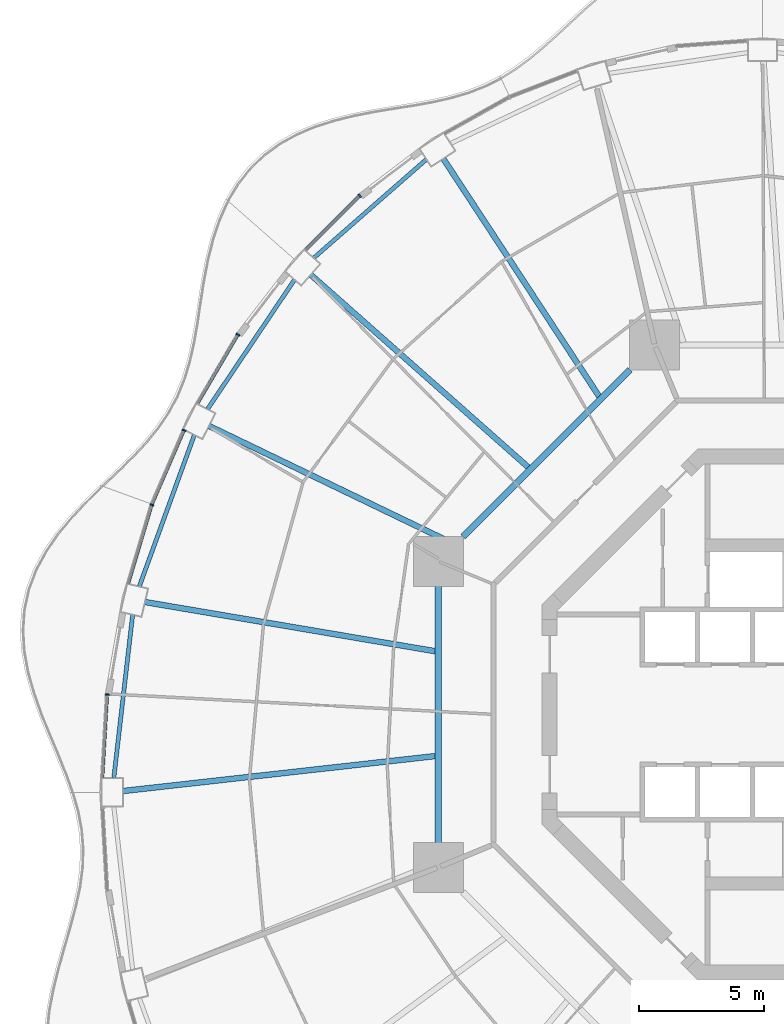
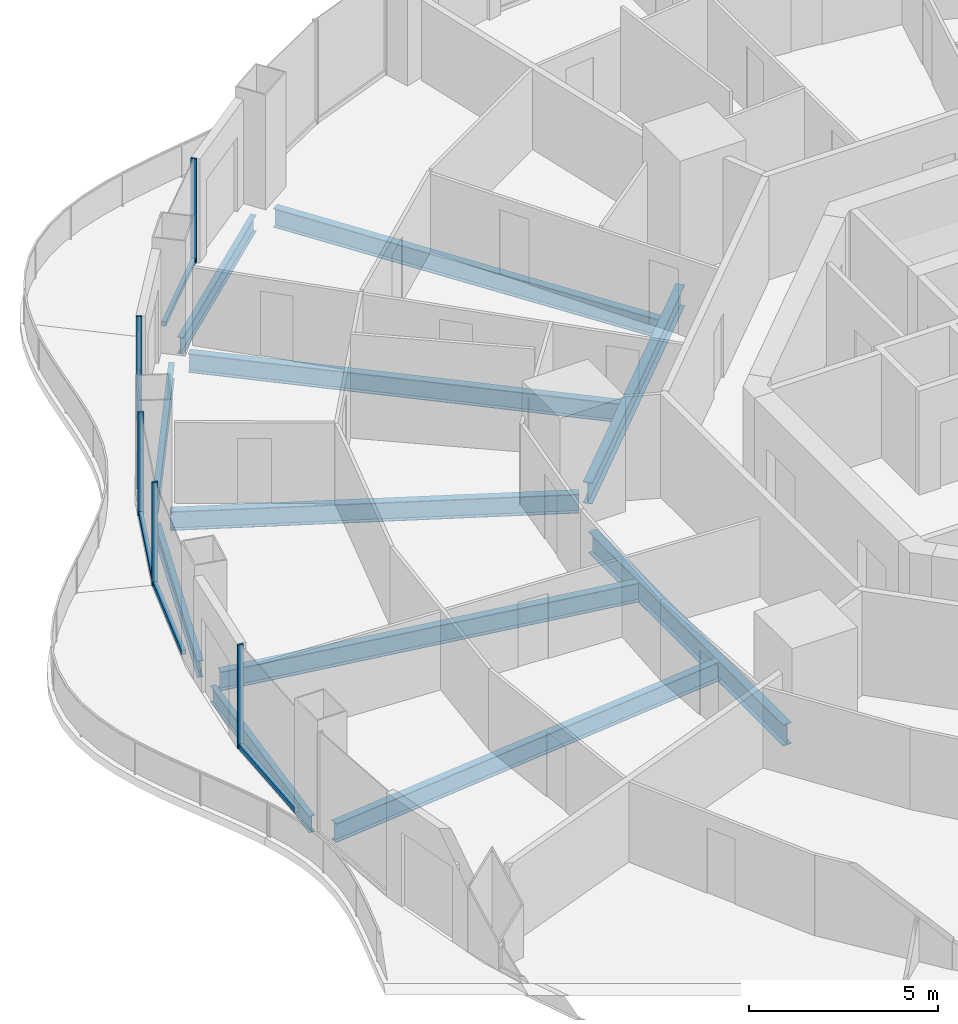
# One storey, part 7 of 21: 11 beams, 10 members, 5 elements without a shape of their own.
"""IFC4 building model written with IfcOpenShell, lengths in metres."""

import ifcopenshell
import ifcopenshell.guid

model = None  # the IFC model being written
_history = None  # IfcOwnerHistory: only IFC2X3 demands one
_inside = {}  # id of a spatial element -> (the spatial element, [elements in it])
_under = {}  # id of a project, library or spatial element -> (it, [spatial elements below it])
_declared = {}  # id of a project -> (the project, [libraries it declares])
_typed = {}  # id of a type object -> (the type object, [elements of that type])
_made_of = {}  # id of a material, layer set ... -> (it, [elements and type objects made of it])


def new_model(schema):
    """Start an empty IFC model of exactly this schema.

    Asked for "IFC4X3", IfcOpenShell would pick the latest addendum, in which some entities
    have other attributes; the version numbers below select the first issue.
    IFC2X3 requires an IfcOwnerHistory on every rooted entity: one is made here for all.
    """
    global model, _history
    if schema == "IFC4X3":
        model = ifcopenshell.file(schema_version=(4, 3, 0, 0))
    else:
        model = ifcopenshell.file(schema=schema)
    _inside.clear()
    _under.clear()
    _declared.clear()
    _typed.clear()
    _made_of.clear()
    _history = None
    if model.schema == "IFC2X3":
        org = make("IfcOrganization", Name="unknown")
        user = make(
            "IfcPersonAndOrganization",
            ThePerson=make("IfcPerson", FamilyName="unknown"),
            TheOrganization=org,
        )
        app = make(
            "IfcApplication",
            ApplicationDeveloper=org,
            Version="unknown",
            ApplicationFullName="unknown",
            ApplicationIdentifier="unknown",
        )
        _history = make(
            "IfcOwnerHistory",
            OwningUser=user,
            OwningApplication=app,
            ChangeAction="ADDED",
            CreationDate=0,
        )
    return model


def make(cls, **values):
    """One entity of the class cls with the attributes given. An attribute that is None is left unset."""
    return model.create_entity(
        cls, **{name: value for name, value in values.items() if value is not None}
    )


def rooted(cls, **values):
    """An entity with a GlobalId (a new one), such as an element, a storey or a relation."""
    return make(cls, GlobalId=ifcopenshell.guid.new(), OwnerHistory=_history, **values)


def si_unit(unit_type, name, prefix=None):
    """IfcSIUnit, for example si_unit("LENGTHUNIT", "METRE", prefix="MILLI")."""
    return make("IfcSIUnit", UnitType=unit_type, Prefix=prefix, Name=name)


def assignment(units):
    """IfcUnitAssignment: the units of a project."""
    return None if units is None else make("IfcUnitAssignment", Units=units)


def point(xyz):
    """IfcCartesianPoint."""
    return None if xyz is None else make("IfcCartesianPoint", Coordinates=xyz)


def direction(xyz):
    """IfcDirection."""
    return None if xyz is None else make("IfcDirection", DirectionRatios=xyz)


def frame(location, z_axis=None, x_axis=None):
    """IfcAxis2Placement3D, a coordinate frame: its origin and axes. An axis left out is left unset."""
    return make(
        "IfcAxis2Placement3D",
        Location=point(location),
        Axis=direction(z_axis),
        RefDirection=direction(x_axis),
    )


def frame_2d(location, x_axis=None):
    """IfcAxis2Placement2D, a coordinate frame in the plane: its origin and x axis."""
    return make(
        "IfcAxis2Placement2D", Location=point(location), RefDirection=direction(x_axis)
    )


def origin():
    """The frame at (0, 0, 0) with its axes left unset."""
    return frame((0.0, 0.0, 0.0))


def origin_2d():
    """The frame at (0, 0) in the plane with its x axis left unset."""
    return frame_2d((0.0, 0.0))


def place(relative_to, where):
    """IfcLocalPlacement: puts the frame where relative to a parent placement (None: the world)."""
    return make(
        "IfcLocalPlacement", PlacementRelTo=relative_to, RelativePlacement=where
    )


def context(
    kind, dimensions, precision=None, world=None, true_north=None, identifier=None
):
    """IfcGeometricRepresentationContext, for example the 3D "Model" context."""
    return make(
        "IfcGeometricRepresentationContext",
        ContextIdentifier=identifier,
        ContextType=kind,
        CoordinateSpaceDimension=dimensions,
        Precision=precision,
        WorldCoordinateSystem=world,
        TrueNorth=true_north,
    )


def subcontext(parent, identifier, kind, view, scale=None):
    """IfcGeometricRepresentationSubContext, for example "Body" below "Model"."""
    return make(
        "IfcGeometricRepresentationSubContext",
        ContextIdentifier=identifier,
        ContextType=kind,
        ParentContext=parent,
        TargetScale=scale,
        TargetView=view,
    )


def project(units=None, contexts=None):
    """IfcProject with its units and contexts."""
    return rooted(
        "IfcProject",
        Name="project",
        RepresentationContexts=contexts,
        UnitsInContext=assignment(units),
    )


def spatial(cls, under=None, at=None, **own):
    """A site, building, storey or space (cls), placed at a placement, below another one or the project."""
    s = rooted(cls, ObjectPlacement=at, **own)
    if under is not None:
        _under.setdefault(under.id(), (under, []))[1].append(s)
    return s


def profile(cls, at=None, kind="AREA", **sizes):
    """A parametric profile (cls). Its sizes go by their IFC names, for example OverallWidth=200.0."""
    return make(cls, ProfileType=kind, Position=at, **sizes)


def rectangle(**sizes):
    """IfcRectangleProfileDef."""
    return profile("IfcRectangleProfileDef", **sizes)


def i_section(**sizes):
    """IfcIShapeProfileDef."""
    return profile("IfcIShapeProfileDef", **sizes)


def extrude(swept, where, along, depth):
    """IfcExtrudedAreaSolid: the profile swept, set in the frame where, extruded along a direction by depth."""
    return make(
        "IfcExtrudedAreaSolid",
        SweptArea=swept,
        Position=where,
        ExtrudedDirection=direction(along),
        Depth=depth,
    )


def shape(context_of_items, identifier, shape_type, items):
    """IfcShapeRepresentation: the items that make up one representation, for example the "Body"."""
    return make(
        "IfcShapeRepresentation",
        ContextOfItems=context_of_items,
        RepresentationIdentifier=identifier,
        RepresentationType=shape_type,
        Items=items,
    )


def material(Name=None, Category=None):
    """IfcMaterial."""
    return make("IfcMaterial", Name=Name, Category=Category)


def layer(
    of_material, thickness, ventilated=None, Name=None, Category=None, Priority=None
):
    """IfcMaterialLayer: one layer of a wall or slab, of a material (None: an air gap)."""
    return make(
        "IfcMaterialLayer",
        Material=of_material,
        LayerThickness=thickness,
        IsVentilated=ventilated,
        Name=Name,
        Category=Category,
        Priority=Priority,
    )


def layer_set(layers, Name=None):
    """IfcMaterialLayerSet."""
    return make("IfcMaterialLayerSet", MaterialLayers=layers, LayerSetName=Name)


def material_profile(
    of_material, cross_section, Name=None, Category=None, Priority=None
):
    """IfcMaterialProfile: a cross section and its material."""
    return make(
        "IfcMaterialProfile",
        Name=Name,
        Material=of_material,
        Profile=cross_section,
        Priority=Priority,
        Category=Category,
    )


def profile_set(profiles, Name=None, composite=None):
    """IfcMaterialProfileSet."""
    return make(
        "IfcMaterialProfileSet",
        Name=Name,
        MaterialProfiles=profiles,
        CompositeProfile=composite,
    )


def made_of(thing, what):
    """Note that an element or type object is made of a material, layer set ...; save() writes the relation."""
    if what is not None:
        _made_of.setdefault(what.id(), (what, []))[1].append(thing)
    return thing


def type_object(cls, material=None, **own):
    """A type object (cls), such as IfcWallType, which elements share."""
    return made_of(rooted(cls, **own), material)


def element(
    cls,
    number,
    at=None,
    inside=None,
    cuts=None,
    type_object=None,
    material=None,
    context=None,
    identifier="Body",
    shape_type=None,
    held_by="IfcProductDefinitionShape",
    body=None,
    shapes=None,
    **own,
):
    """One element of the class cls, such as IfcWall. Its Tag is "e" and its number.

    at: its placement. inside: the storey or other place that contains it. cuts: it is an
    opening in that element (IfcRelVoidsElement). A single representation is given by context,
    identifier, shape_type and body (its items); several are given by shapes. held_by: the class
    of the entity that holds the representations. save() writes the other relations.
    """
    e = rooted(cls, Tag="e%d" % number, ObjectPlacement=at, **own)
    if body is not None:
        shapes = [shape(context, identifier, shape_type, body)]
    if shapes is not None:
        e.Representation = make(held_by, Representations=shapes)
    if inside is not None:
        _inside.setdefault(inside.id(), (inside, []))[1].append(e)
    if cuts is not None:
        rooted(
            "IfcRelVoidsElement", RelatingBuildingElement=cuts, RelatedOpeningElement=e
        )
    if type_object is not None:
        _typed.setdefault(type_object.id(), (type_object, []))[1].append(e)
    return made_of(e, material)


def aggregate(whole, parts):
    """IfcRelAggregates: a whole, such as a stair, and the parts it consists of."""
    return rooted("IfcRelAggregates", RelatingObject=whole, RelatedObjects=parts)


def save(model, path):
    """Write the relations noted so far, then the file.

    IfcRelAggregates (storeys below a building ...), IfcRelContainedInSpatialStructure (elements
    in a storey), IfcRelDefinesByType, IfcRelAssociatesMaterial and IfcRelDeclares: one each for
    every whole, place, type object, material and project.
    """
    for whole, parts in _under.values():
        aggregate(whole, parts)
    for where, things in _inside.values():
        rooted(
            "IfcRelContainedInSpatialStructure",
            RelatedElements=things,
            RelatingStructure=where,
        )
    for kind, things in _typed.values():
        rooted("IfcRelDefinesByType", RelatedObjects=things, RelatingType=kind)
    for what, things in _made_of.values():
        rooted("IfcRelAssociatesMaterial", RelatedObjects=things, RelatingMaterial=what)
    for by, libraries in _declared.values():
        rooted("IfcRelDeclares", RelatingContext=by, RelatedDefinitions=libraries)
    model.write(path)


model = new_model("IFC4")

# Units and contexts
model_context = context("Model", 3, precision=1e-05, world=origin(), true_north=direction((0.0, 1.0)))
body_context = subcontext(model_context, "Body", "Model", "MODEL_VIEW")
ifc_project = project(units=[si_unit("LENGTHUNIT", "METRE"), si_unit("AREAUNIT", "SQUARE_METRE"), si_unit("VOLUMEUNIT", "CUBIC_METRE"), si_unit("PLANEANGLEUNIT", "RADIAN"), si_unit("MASSUNIT", "GRAM", prefix="KILO")], contexts=[model_context])

# Site, building, storey
site_placement = place(None, origin())
site = spatial("IfcSite", under=ifc_project, at=site_placement, CompositionType="ELEMENT")
building_placement = place(site_placement, origin())
building = spatial("IfcBuilding", under=site, at=building_placement, Name="Nagisa Residences", CompositionType="ELEMENT")
storey_placement = place(building_placement, frame((0.0, 0.0, 156.60009765625)))
storey = spatial("IfcBuildingStorey", under=building, at=storey_placement, Name="L39", CompositionType="ELEMENT", Elevation=156.60009765625)

# Curtain wall, member
ifc_material_1 = material(Name="Concrete-coloured aluminium curtain wall system", Category="concrete")
ifc_layer = layer(ifc_material_1, 0.159912109375)
ifc_layer_set = layer_set([ifc_layer], Name="CW1 CURTAIN WALL")
curtain_wall_type = type_object("IfcCurtainWallType", Name="CW1 CURTAIN WALL", PredefinedType="NOTDEFINED", material=ifc_layer_set)
curtain_wall_1_placement = place(storey_placement, origin())
curtain_wall_1 = element("IfcCurtainWall", 1, at=curtain_wall_1_placement, inside=storey, type_object=curtain_wall_type, Name="cw:CW1:L39:17", PredefinedType="NOTDEFINED")
ifc_material_2 = material(Name="Concrete-coloured aluminium", Category="concrete")
ifc_material_profile_1 = material_profile(ifc_material_2, rectangle(XDim=0.159912109375, YDim=0.06005859375, at=origin_2d()), Name="CW1 MULLION 160x60")
ifc_profile_set_1 = profile_set([ifc_material_profile_1], Name="Concrete-coloured aluminium")
member_type_1 = type_object("IfcMemberType", Name="CW1 MULLION 160x60", PredefinedType="MULLION", material=ifc_profile_set_1)
member_1_placement = place(storey_placement, frame((-17.918212890625, 20.759765625, 0.0), z_axis=(0.0, 0.0, 1.0), x_axis=(0.706376885714, -0.707835924016, 0.0)))
member_1 = element("IfcMember", 2, at=member_1_placement, type_object=member_type_1, Name="CW1 mullion", PredefinedType="MULLION", context=body_context, shape_type="SweptSolid", body=[
    extrude(rectangle(XDim=0.159912109375, YDim=0.06005859375, at=origin_2d()), origin(), (0.0, 0.0, 1.0), 3.349853515625),
])

curtain_wall_2_placement = place(storey_placement, origin())
curtain_wall_2 = element("IfcCurtainWall", 3, at=curtain_wall_2_placement, inside=storey, type_object=curtain_wall_type, Name="cw:CW1:L39:19", PredefinedType="NOTDEFINED")
member_2_placement = place(storey_placement, frame((-22.7978515625, 15.197509765625, 0.0), z_axis=(0.0, 0.0, 1.0), x_axis=(0.862328898214, -0.506348567002, 0.0)))
member_2 = element("IfcMember", 4, at=member_2_placement, type_object=member_type_1, Name="CW1 mullion", PredefinedType="MULLION", context=body_context, shape_type="SweptSolid", body=[
    extrude(rectangle(XDim=0.159912109375, YDim=0.06005859375, at=origin_2d()), origin(), (0.0, 0.0, 1.0), 3.349853515625),
])

curtain_wall_3_placement = place(storey_placement, origin())
curtain_wall_3 = element("IfcCurtainWall", 5, at=curtain_wall_3_placement, inside=storey, type_object=curtain_wall_type, Name="cw:CW1:L39:20", PredefinedType="NOTDEFINED")
member_3_placement = place(storey_placement, frame((-24.95703125, 11.369873046875, 0.0), z_axis=(0.0, 0.0, 1.0), x_axis=(0.917543276295, -0.397635934147, 0.0)))
member_3 = element("IfcMember", 6, at=member_3_placement, type_object=member_type_1, Name="CW1 mullion", PredefinedType="MULLION", context=body_context, shape_type="SweptSolid", body=[
    extrude(rectangle(XDim=0.159912109375, YDim=0.06005859375, at=origin_2d()), origin(), (0.0, 0.0, 1.0), 3.349853515625),
])

curtain_wall_4_placement = place(storey_placement, origin())
curtain_wall_4 = element("IfcCurtainWall", 7, at=curtain_wall_4_placement, inside=storey, type_object=curtain_wall_type, Name="cw:CW1:L39:21", PredefinedType="NOTDEFINED")
member_4_placement = place(storey_placement, frame((-26.2470703125, 8.3857421875, 0.0), z_axis=(0.0, 0.0, 1.0), x_axis=(0.958271310082, -0.285860274038, 0.0)))
member_4 = element("IfcMember", 8, at=member_4_placement, type_object=member_type_1, Name="CW1 mullion", PredefinedType="MULLION", context=body_context, shape_type="SweptSolid", body=[
    extrude(rectangle(XDim=0.159912109375, YDim=0.06005859375, at=origin_2d()), origin(), (0.0, 0.0, 1.0), 3.349853515625),
])

curtain_wall_5_placement = place(storey_placement, origin())
curtain_wall_5 = element("IfcCurtainWall", 9, at=curtain_wall_5_placement, inside=storey, type_object=curtain_wall_type, Name="cw:CW1:L39:23", PredefinedType="NOTDEFINED")
member_5_placement = place(storey_placement, frame((-28.02978515625, 0.7890625, 0.0), z_axis=(0.0, 0.0, 1.0), x_axis=(0.998345305184, -0.057503492216, 0.0)))
member_5 = element("IfcMember", 10, at=member_5_placement, type_object=member_type_1, Name="CW1 mullion", PredefinedType="MULLION", context=body_context, shape_type="SweptSolid", body=[
    extrude(rectangle(XDim=0.159912109375, YDim=0.06005859375, at=origin_2d()), origin(), (0.0, 0.0, 1.0), 3.349853515625),
])

# Member
ifc_material_3 = material(Name="Concrete-coloured aluminium", Category="concrete")
ifc_material_profile_2 = material_profile(ifc_material_3, rectangle(XDim=0.1201171875, YDim=0.14990234375, at=origin_2d()), Name="CW1 TRANSOM 120x150")
ifc_profile_set_2 = profile_set([ifc_material_profile_2], Name="Concrete-coloured aluminium")
member_type_2 = type_object("IfcMemberType", Name="CW1 TRANSOM 120x150", PredefinedType="USERDEFINED", material=ifc_profile_set_2)
member_6_placement = place(storey_placement, frame((-17.89697265625, 20.781005859375, 0.074951171875), z_axis=(-0.707818274975, -0.706394570768, 0.0), x_axis=(0.706394570768, -0.707818274975, 0.0)))
member_6 = element("IfcMember", 11, at=member_6_placement, type_object=member_type_2, Name="CW1 transom", ObjectType="TRANSOM", PredefinedType="USERDEFINED", context=body_context, shape_type="SweptSolid", body=[
    extrude(rectangle(XDim=0.1201171875, YDim=0.14990234375, at=origin_2d()), origin(), (0.0, 0.0, 1.0), 3.086669921875),
])

aggregate(curtain_wall_1, [member_1, member_6])

member_7_placement = place(storey_placement, frame((-22.78271484375, 15.223388671875, 0.074951171875), z_axis=(-0.506348207891, -0.86232910908, 0.0), x_axis=(0.86232910908, -0.506348207891, 0.0)))
member_7 = element("IfcMember", 12, at=member_7_placement, type_object=member_type_2, Name="CW1 transom", ObjectType="TRANSOM", PredefinedType="USERDEFINED", context=body_context, shape_type="SweptSolid", body=[
    extrude(rectangle(XDim=0.1201171875, YDim=0.14990234375, at=origin_2d()), origin(), (0.0, 0.0, 1.0), 3.208251953125),
])

aggregate(curtain_wall_2, [member_2, member_7])

member_8_placement = place(storey_placement, frame((-24.945068359375, 11.3974609375, 0.074951171875), z_axis=(-0.397638954585, -0.917541967321, 0.0), x_axis=(0.917541967321, -0.397638954585, 0.0)))
member_8 = element("IfcMember", 13, at=member_8_placement, type_object=member_type_2, Name="CW1 transom", ObjectType="TRANSOM", PredefinedType="USERDEFINED", context=body_context, shape_type="SweptSolid", body=[
    extrude(rectangle(XDim=0.1201171875, YDim=0.14990234375, at=origin_2d()), origin(), (0.0, 0.0, 1.0), 3.2607421875),
])

aggregate(curtain_wall_3, [member_3, member_8])

member_9_placement = place(storey_placement, frame((-26.238525390625, 8.41455078125, 0.074951171875), z_axis=(-0.285842038783, -0.958276749621, 0.0), x_axis=(0.958276749621, -0.285842038783, 0.0)))
member_9 = element("IfcMember", 14, at=member_9_placement, type_object=member_type_2, Name="CW1 transom", ObjectType="TRANSOM", PredefinedType="USERDEFINED", context=body_context, shape_type="SweptSolid", body=[
    extrude(rectangle(XDim=0.1201171875, YDim=0.14990234375, at=origin_2d()), origin(), (0.0, 0.0, 1.0), 3.302734375),
])

aggregate(curtain_wall_4, [member_4, member_9])

member_10_placement = place(storey_placement, frame((-28.028076171875, 0.81884765625, 0.074951171875), z_axis=(-0.057542018726, -0.998343085357, 0.0), x_axis=(0.998343085357, -0.057542018726, 0.0)))
member_10 = element("IfcMember", 15, at=member_10_placement, type_object=member_type_2, Name="CW1 transom", ObjectType="TRANSOM", PredefinedType="USERDEFINED", context=body_context, shape_type="SweptSolid", body=[
    extrude(rectangle(XDim=0.1201171875, YDim=0.14990234375, at=origin_2d()), origin(), (0.0, 0.0, 1.0), 3.34765625),
])

aggregate(curtain_wall_5, [member_5, member_10])

# Beams
ifc_material_4 = material(Name="Steel ASTM A572 Gr 50", Category="steel")
ifc_material_profile_3 = material_profile(ifc_material_4, i_section(OverallWidth=0.25390625, OverallDepth=0.68408203125, WebThickness=0.012451171875, FlangeThickness=0.018798828125, at=origin_2d()), Name="W690x140")
ifc_profile_set_3 = profile_set([ifc_material_profile_3], Name="Steel ASTM A572 Gr 50")
beam_type_1 = type_object("IfcBeamType", Name="Inner ring beam W690x140", PredefinedType="BEAM", material=ifc_profile_set_3)
beam_1_placement = place(storey_placement, frame((-7.10888671875, 13.796142578125, -0.60205078125), z_axis=(-0.707106781187, -0.707106781187, 0.0), x_axis=(0.707106781187, -0.707106781187, 0.0)))
element("IfcBeam", 16, at=beam_1_placement, inside=storey, type_object=beam_type_1, Name="beam:L39:ib3", PredefinedType="BEAM", context=body_context, shape_type="SweptSolid", body=[
    extrude(i_section(OverallWidth=0.25390625, OverallDepth=0.68408203125, WebThickness=0.012451171875, FlangeThickness=0.018798828125, at=origin_2d()), origin(), (0.0, 0.0, 1.0), 9.457275390625),
])
beam_2_placement = place(storey_placement, frame((-14.781982421875, 5.142822265625, -0.60205078125), z_axis=(0.0, -1.0, 0.0), x_axis=(1.0, 0.0, 0.0)))
element("IfcBeam", 17, at=beam_2_placement, inside=storey, type_object=beam_type_1, Name="beam:L39:ib4", PredefinedType="BEAM", context=body_context, shape_type="SweptSolid", body=[
    extrude(i_section(OverallWidth=0.25390625, OverallDepth=0.68408203125, WebThickness=0.012451171875, FlangeThickness=0.018798828125, at=origin_2d()), origin(), (0.0, 0.0, 1.0), 10.28564453125),
])
ifc_material_5 = material(Name="Steel ASTM A572 Gr 50", Category="steel")
ifc_material_profile_4 = material_profile(ifc_material_5, i_section(OverallWidth=0.166015625, OverallDepth=0.534912109375, WebThickness=0.01025390625, FlangeThickness=0.0166015625, at=origin_2d()), Name="W530x85")
ifc_profile_set_4 = profile_set([ifc_material_profile_4], Name="Steel ASTM A572 Gr 50")
beam_type_2 = type_object("IfcBeamType", Name="Perimeter ring beam W530x85", PredefinedType="BEAM", material=ifc_profile_set_4)
beam_3_placement = place(storey_placement, frame((-15.25830078125, 22.213134765625, -0.527587890625), z_axis=(-0.752503526528, -0.658588219272, 0.0), x_axis=(0.658588219272, -0.752503526528, 0.0)))
element("IfcBeam", 18, at=beam_3_placement, inside=storey, type_object=beam_type_2, Name="beam:L39:pb09", PredefinedType="BEAM", context=body_context, shape_type="SweptSolid", body=[
    extrude(i_section(OverallWidth=0.166015625, OverallDepth=0.534912109375, WebThickness=0.01025390625, FlangeThickness=0.0166015625, at=origin_2d()), origin(), (0.0, 0.0, 1.0), 5.99462890625),
])
beam_4_placement = place(storey_placement, frame((-20.5361328125, 17.39453125, -0.527587890625), z_axis=(-0.558187951157, -0.82971453596, 0.0), x_axis=(0.82971453596, -0.558187951157, 0.0)))
element("IfcBeam", 19, at=beam_4_placement, inside=storey, type_object=beam_type_2, Name="beam:L39:pb10", PredefinedType="BEAM", context=body_context, shape_type="SweptSolid", body=[
    extrude(i_section(OverallWidth=0.166015625, OverallDepth=0.534912109375, WebThickness=0.01025390625, FlangeThickness=0.0166015625, at=origin_2d()), origin(), (0.0, 0.0, 1.0), 6.24267578125),
])
beam_5_placement = place(storey_placement, frame((-24.54638671875, 11.180419921875, -0.527587890625), z_axis=(-0.341366238276, -0.939930365168, 0.0), x_axis=(0.939930365168, -0.341366238276, 0.0)))
element("IfcBeam", 20, at=beam_5_placement, inside=storey, type_object=beam_type_2, Name="beam:L39:pb11", PredefinedType="BEAM", context=body_context, shape_type="SweptSolid", body=[
    extrude(i_section(OverallWidth=0.166015625, OverallDepth=0.534912109375, WebThickness=0.01025390625, FlangeThickness=0.0166015625, at=origin_2d()), origin(), (0.0, 0.0, 1.0), 6.450927734375),
])
beam_6_placement = place(storey_placement, frame((-27.014892578125, 3.98779296875, -0.527587890625), z_axis=(-0.114660786771, -0.993404703017, 0.0), x_axis=(0.993404703017, -0.114660786771, 0.0)))
element("IfcBeam", 21, at=beam_6_placement, inside=storey, type_object=beam_type_2, Name="beam:L39:pb12", PredefinedType="BEAM", context=body_context, shape_type="SweptSolid", body=[
    extrude(i_section(OverallWidth=0.166015625, OverallDepth=0.534912109375, WebThickness=0.01025390625, FlangeThickness=0.0166015625, at=origin_2d()), origin(), (0.0, 0.0, 1.0), 6.568603515625),
])
ifc_material_6 = material(Name="Steel ASTM A572 Gr 50", Category="steel")
ifc_material_profile_5 = material_profile(ifc_material_6, i_section(OverallWidth=0.22900390625, OverallDepth=0.612060546875, WebThickness=0.011962890625, FlangeThickness=0.01953125, at=origin_2d()), Name="W610x125")
ifc_profile_set_5 = profile_set([ifc_material_profile_5], Name="Steel ASTM A572 Gr 50")
beam_type_3 = type_object("IfcBeamType", Name="Radial beam W610x125", PredefinedType="BEAM", material=ifc_profile_set_5)
beam_7_placement = place(storey_placement, frame((-14.581787109375, 22.2392578125, -0.566162109375), z_axis=(0.548325250323, -0.836265161212, 0.0), x_axis=(0.836265161212, 0.548325250323, 0.0)))
element("IfcBeam", 22, at=beam_7_placement, inside=storey, type_object=beam_type_3, Name="beam:L39:rb09", PredefinedType="BEAM", context=body_context, shape_type="SweptSolid", body=[
    extrude(i_section(OverallWidth=0.22900390625, OverallDepth=0.612060546875, WebThickness=0.011962890625, FlangeThickness=0.01953125, at=origin_2d()), origin(), (0.0, 0.0, 1.0), 11.385498046875),
])
beam_8_placement = place(storey_placement, frame((-19.887451171875, 17.594970703125, -0.566162109375), z_axis=(0.7489549138, -0.662620960349, 0.0), x_axis=(0.662620960349, 0.7489549138, 0.0)))
element("IfcBeam", 23, at=beam_8_placement, inside=storey, type_object=beam_type_3, Name="beam:L39:rb10", PredefinedType="BEAM", context=body_context, shape_type="SweptSolid", body=[
    extrude(i_section(OverallWidth=0.22900390625, OverallDepth=0.612060546875, WebThickness=0.011962890625, FlangeThickness=0.01953125, at=origin_2d()), origin(), (0.0, 0.0, 1.0), 11.63671875),
])
beam_9_placement = place(storey_placement, frame((-23.95947265625, 11.543212890625, -0.566162109375), z_axis=(0.900896469051, -0.434034044808, 0.0), x_axis=(0.434034044808, 0.900896469051, 0.0)))
element("IfcBeam", 24, at=beam_9_placement, inside=storey, type_object=beam_type_3, Name="beam:L39:rb11", PredefinedType="BEAM", context=body_context, shape_type="SweptSolid", body=[
    extrude(i_section(OverallWidth=0.22900390625, OverallDepth=0.612060546875, WebThickness=0.011962890625, FlangeThickness=0.01953125, at=origin_2d()), origin(), (0.0, 0.0, 1.0), 10.820556640625),
])
beam_10_placement = place(storey_placement, frame((-26.52294921875, 4.495849609375, -0.566162109375), z_axis=(0.985936650852, -0.167119479737, 0.0), x_axis=(0.167119479737, 0.985936650852, 0.0)))
element("IfcBeam", 25, at=beam_10_placement, inside=storey, type_object=beam_type_3, Name="beam:L39:rb12", PredefinedType="BEAM", context=body_context, shape_type="SweptSolid", body=[
    extrude(i_section(OverallWidth=0.22900390625, OverallDepth=0.612060546875, WebThickness=0.011962890625, FlangeThickness=0.01953125, at=origin_2d()), origin(), (0.0, 0.0, 1.0), 11.799560546875),
])
beam_11_placement = place(storey_placement, frame((-27.40478515625, -3.069580078125, -0.566162109375), z_axis=(0.993785470482, 0.111312347291, 0.0), x_axis=(-0.111312347291, 0.993785470482, 0.0)))
element("IfcBeam", 26, at=beam_11_placement, inside=storey, type_object=beam_type_3, Name="beam:L39:rb13", PredefinedType="BEAM", context=body_context, shape_type="SweptSolid", body=[
    extrude(i_section(OverallWidth=0.22900390625, OverallDepth=0.612060546875, WebThickness=0.011962890625, FlangeThickness=0.01953125, at=origin_2d()), origin(), (0.0, 0.0, 1.0), 12.593994140625),
])

save(model, "model.ifc")
